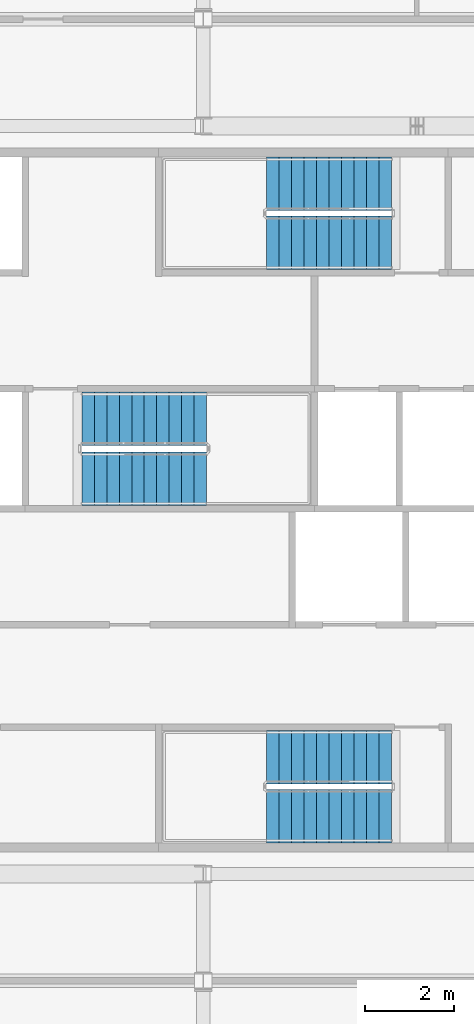
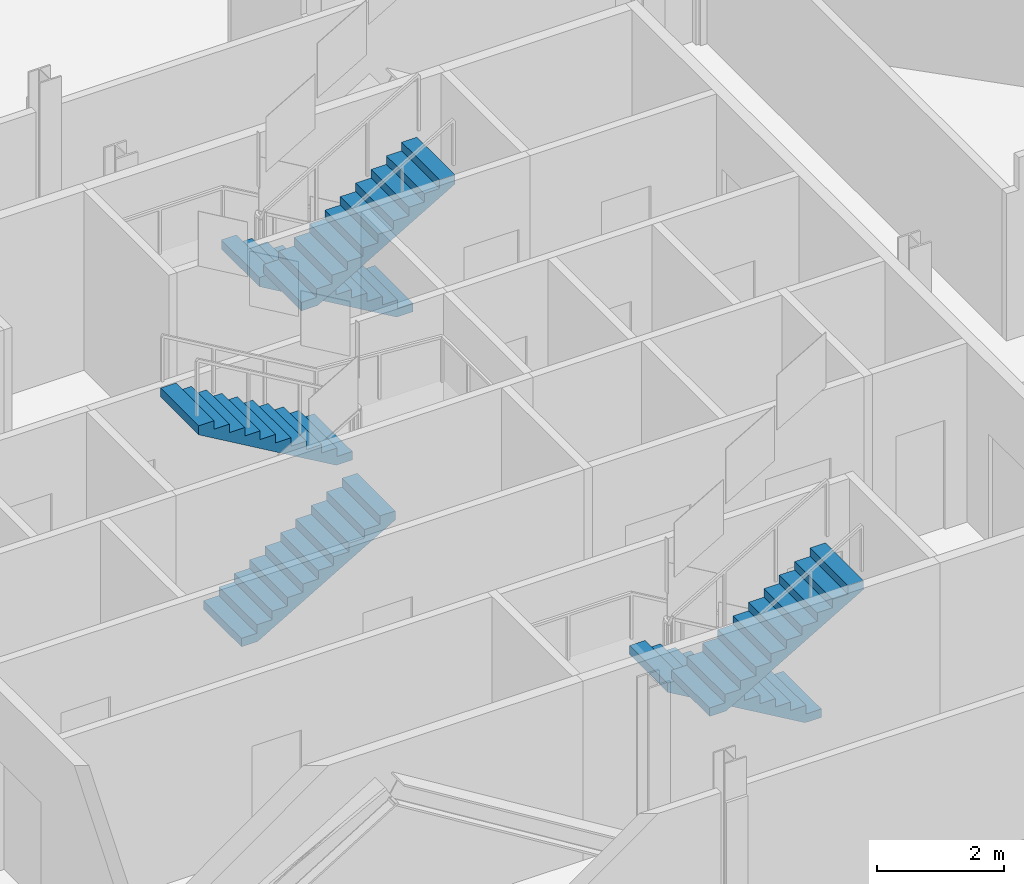
# One storey, part 12 of 17: 6 stair flights, 3 elements without a shape of their own.
"""IFC4 building model written with IfcOpenShell, lengths in metres."""

from ifc_helpers import new_model, si_unit, direction, frame, origin, place, context, subcontext, project, spatial, polyline, outline, extrude, material, type_object, element, aggregate, save


model = new_model("IFC4")

# Units and contexts
model_context = context("Model", 3, precision=1e-05, world=origin(), true_north=direction((0.0, 1.0)))
body_context = subcontext(model_context, "Body", "Model", "MODEL_VIEW")
ifc_project = project(units=[si_unit("LENGTHUNIT", "METRE"), si_unit("AREAUNIT", "SQUARE_METRE"), si_unit("VOLUMEUNIT", "CUBIC_METRE"), si_unit("PLANEANGLEUNIT", "RADIAN"), si_unit("MASSUNIT", "GRAM", prefix="KILO")], contexts=[model_context])

# Site, building, storey
site_placement = place(None, origin())
site = spatial("IfcSite", under=ifc_project, at=site_placement, CompositionType="ELEMENT")
building_placement = place(site_placement, origin())
building = spatial("IfcBuilding", under=site, at=building_placement, Name="Cairn Pilgrim Tower", CompositionType="ELEMENT")
storey_placement = place(building_placement, frame((0.0, 0.0, 243.0)))
storey = spatial("IfcBuildingStorey", under=building, at=storey_placement, Name="L62", CompositionType="ELEMENT", Elevation=243.0)

# Stair, stair flights
ifc_material = material(Name="Concrete C32/40", Category="concrete")
stair_type = type_object("IfcStairType", Name="EXIT STAIR 1200", PredefinedType="HALF_TURN_STAIR", material=ifc_material)
stair_1_placement = place(storey_placement, origin())
stair_1 = element("IfcStair", 1, at=stair_1_placement, inside=storey, type_object=stair_type, Name="L62 Exit Stair A", PredefinedType="HALF_TURN_STAIR")
stair_flight_type = type_object("IfcStairFlightType", Name="STAIR FLIGHT 1200", PredefinedType="STRAIGHT", material=ifc_material)
stair_flight_1_placement = place(storey_placement, frame((11.425048828125, -3.375, 0.0), z_axis=(0.0, 0.0, 1.0), x_axis=(-1.0, 0.0, 0.0)))
stair_flight_1 = element("IfcStairFlight", 2, at=stair_flight_1_placement, type_object=stair_flight_type, Name="ST-A flight 1", NumberOfRisers=11, NumberOfTreads=10, PredefinedType="STRAIGHT", RiserHeight=0.163636364, TreadLength=0.28, context=body_context, shape_type="SweptSolid", body=[
    extrude(outline(polyline([(0.0, 0.0), (0.0, 0.16357421875), (0.280029296875, 0.16357421875), (0.280029296875, 0.327392578125), (0.56005859375, 0.327392578125), (0.56005859375, 0.490966796875), (0.840087890625, 0.490966796875), (0.840087890625, 0.654541015625), (1.1201171875, 0.654541015625), (1.1201171875, 0.818115234375), (1.39990234375, 0.818115234375), (1.39990234375, 0.98193359375), (1.679931640625, 0.98193359375), (1.679931640625, 1.1455078125), (1.9599609375, 1.1455078125), (1.9599609375, 1.30908203125), (2.239990234375, 1.30908203125), (2.239990234375, 1.47265625), (2.52001953125, 1.47265625), (2.52001953125, 1.636474609375), (2.800048828125, 1.636474609375), (2.800048828125, 1.800048828125), (2.800048828125, 1.462646484375), (0.297119140625, 0.0), (0.0, 0.0)])), frame((0.0, 0.60009765625, 0.0), z_axis=(0.0, -1.0, 0.0), x_axis=(1.0, 0.0, 0.0)), (0.0, 0.0, 1.0), 1.199951171875),
])
stair_flight_2_placement = place(storey_placement, frame((8.625, -4.699951171875, 1.800048828125), z_axis=(0.0, 0.0, 1.0), x_axis=(1.0, 0.0, 0.0)))
stair_flight_2 = element("IfcStairFlight", 3, at=stair_flight_2_placement, type_object=stair_flight_type, Name="ST-A flight 2", NumberOfRisers=11, NumberOfTreads=10, PredefinedType="STRAIGHT", RiserHeight=0.163636364, TreadLength=0.28, context=body_context, shape_type="SweptSolid", body=[
    extrude(outline(polyline([(0.0, 0.0), (0.0, 0.16357421875), (0.280029296875, 0.16357421875), (0.280029296875, 0.327392578125), (0.56005859375, 0.327392578125), (0.56005859375, 0.490966796875), (0.840087890625, 0.490966796875), (0.840087890625, 0.654541015625), (1.1201171875, 0.654541015625), (1.1201171875, 0.818115234375), (1.39990234375, 0.818115234375), (1.39990234375, 0.98193359375), (1.679931640625, 0.98193359375), (1.679931640625, 1.1455078125), (1.9599609375, 1.1455078125), (1.9599609375, 1.30908203125), (2.239990234375, 1.30908203125), (2.239990234375, 1.47265625), (2.52001953125, 1.47265625), (2.52001953125, 1.636474609375), (2.800048828125, 1.636474609375), (2.800048828125, 1.800048828125), (2.800048828125, 1.462646484375), (0.297119140625, 0.0), (0.0, 0.0)])), frame((0.0, 0.60009765625, 0.0), z_axis=(0.0, -1.0, 0.0), x_axis=(1.0, 0.0, 0.0)), (0.0, 0.0, 1.0), 1.199951171875),
])
aggregate(stair_1, [stair_flight_1, stair_flight_2])

stair_2_placement = place(storey_placement, origin())
stair_2 = element("IfcStair", 4, at=stair_2_placement, inside=storey, type_object=stair_type, Name="L62 Exit Stair B", PredefinedType="HALF_TURN_STAIR")
stair_flight_3_placement = place(storey_placement, frame((4.47509765625, 2.875, 0.0), z_axis=(0.0, 0.0, 1.0), x_axis=(1.0, 0.0, 0.0)))
stair_flight_3 = element("IfcStairFlight", 5, at=stair_flight_3_placement, type_object=stair_flight_type, Name="ST-B flight 1", NumberOfRisers=11, NumberOfTreads=10, PredefinedType="STRAIGHT", RiserHeight=0.163636364, TreadLength=0.28, context=body_context, shape_type="SweptSolid", body=[
    extrude(outline(polyline([(0.0, 0.0), (0.0, 0.16357421875), (0.280029296875, 0.16357421875), (0.280029296875, 0.327392578125), (0.56005859375, 0.327392578125), (0.56005859375, 0.490966796875), (0.840087890625, 0.490966796875), (0.840087890625, 0.654541015625), (1.1201171875, 0.654541015625), (1.1201171875, 0.818115234375), (1.39990234375, 0.818115234375), (1.39990234375, 0.98193359375), (1.679931640625, 0.98193359375), (1.679931640625, 1.1455078125), (1.9599609375, 1.1455078125), (1.9599609375, 1.30908203125), (2.239990234375, 1.30908203125), (2.239990234375, 1.47265625), (2.52001953125, 1.47265625), (2.52001953125, 1.636474609375), (2.800048828125, 1.636474609375), (2.800048828125, 1.800048828125), (2.800048828125, 1.462646484375), (0.297119140625, 0.0), (0.0, 0.0)])), frame((0.0, 0.60009765625, 0.0), z_axis=(0.0, -1.0, 0.0), x_axis=(1.0, 0.0, 0.0)), (0.0, 0.0, 1.0), 1.199951171875),
])
stair_flight_4_placement = place(storey_placement, frame((7.27490234375, 4.22509765625, 1.800048828125), z_axis=(0.0, 0.0, 1.0), x_axis=(-1.0, 0.0, 0.0)))
stair_flight_4 = element("IfcStairFlight", 6, at=stair_flight_4_placement, type_object=stair_flight_type, Name="ST-B flight 2", NumberOfRisers=11, NumberOfTreads=10, PredefinedType="STRAIGHT", RiserHeight=0.163636364, TreadLength=0.28, context=body_context, shape_type="SweptSolid", body=[
    extrude(outline(polyline([(0.0, 0.0), (0.0, 0.16357421875), (0.280029296875, 0.16357421875), (0.280029296875, 0.327392578125), (0.56005859375, 0.327392578125), (0.56005859375, 0.490966796875), (0.840087890625, 0.490966796875), (0.840087890625, 0.654541015625), (1.1201171875, 0.654541015625), (1.1201171875, 0.818115234375), (1.39990234375, 0.818115234375), (1.39990234375, 0.98193359375), (1.679931640625, 0.98193359375), (1.679931640625, 1.1455078125), (1.9599609375, 1.1455078125), (1.9599609375, 1.30908203125), (2.239990234375, 1.30908203125), (2.239990234375, 1.47265625), (2.52001953125, 1.47265625), (2.52001953125, 1.636474609375), (2.800048828125, 1.636474609375), (2.800048828125, 1.800048828125), (2.800048828125, 1.462646484375), (0.297119140625, 0.0), (0.0, 0.0)])), frame((0.0, 0.60009765625, 0.0), z_axis=(0.0, -1.0, 0.0), x_axis=(1.0, 0.0, 0.0)), (0.0, 0.0, 1.0), 1.199951171875),
])
aggregate(stair_2, [stair_flight_3, stair_flight_4])

stair_3_placement = place(storey_placement, origin())
stair_3 = element("IfcStair", 7, at=stair_3_placement, inside=storey, type_object=stair_type, Name="L62 Exit Stair C", PredefinedType="HALF_TURN_STAIR")
stair_flight_5_placement = place(storey_placement, frame((11.425048828125, 9.5, 0.0), z_axis=(0.0, 0.0, 1.0), x_axis=(-1.0, 0.0, 0.0)))
stair_flight_5 = element("IfcStairFlight", 8, at=stair_flight_5_placement, type_object=stair_flight_type, Name="ST-C flight 1", NumberOfRisers=11, NumberOfTreads=10, PredefinedType="STRAIGHT", RiserHeight=0.163636364, TreadLength=0.28, context=body_context, shape_type="SweptSolid", body=[
    extrude(outline(polyline([(0.0, 0.0), (0.0, 0.16357421875), (0.280029296875, 0.16357421875), (0.280029296875, 0.327392578125), (0.56005859375, 0.327392578125), (0.56005859375, 0.490966796875), (0.840087890625, 0.490966796875), (0.840087890625, 0.654541015625), (1.1201171875, 0.654541015625), (1.1201171875, 0.818115234375), (1.39990234375, 0.818115234375), (1.39990234375, 0.98193359375), (1.679931640625, 0.98193359375), (1.679931640625, 1.1455078125), (1.9599609375, 1.1455078125), (1.9599609375, 1.30908203125), (2.239990234375, 1.30908203125), (2.239990234375, 1.47265625), (2.52001953125, 1.47265625), (2.52001953125, 1.636474609375), (2.800048828125, 1.636474609375), (2.800048828125, 1.800048828125), (2.800048828125, 1.462646484375), (0.297119140625, 0.0), (0.0, 0.0)])), frame((0.0, 0.60009765625, 0.0), z_axis=(0.0, -1.0, 0.0), x_axis=(1.0, 0.0, 0.0)), (0.0, 0.0, 1.0), 1.199951171875),
])
stair_flight_6_placement = place(storey_placement, frame((8.625, 8.175048828125, 1.800048828125), z_axis=(0.0, 0.0, 1.0), x_axis=(1.0, 0.0, 0.0)))
stair_flight_6 = element("IfcStairFlight", 9, at=stair_flight_6_placement, type_object=stair_flight_type, Name="ST-C flight 2", NumberOfRisers=11, NumberOfTreads=10, PredefinedType="STRAIGHT", RiserHeight=0.163636364, TreadLength=0.28, context=body_context, shape_type="SweptSolid", body=[
    extrude(outline(polyline([(0.0, 0.0), (0.0, 0.16357421875), (0.280029296875, 0.16357421875), (0.280029296875, 0.327392578125), (0.56005859375, 0.327392578125), (0.56005859375, 0.490966796875), (0.840087890625, 0.490966796875), (0.840087890625, 0.654541015625), (1.1201171875, 0.654541015625), (1.1201171875, 0.818115234375), (1.39990234375, 0.818115234375), (1.39990234375, 0.98193359375), (1.679931640625, 0.98193359375), (1.679931640625, 1.1455078125), (1.9599609375, 1.1455078125), (1.9599609375, 1.30908203125), (2.239990234375, 1.30908203125), (2.239990234375, 1.47265625), (2.52001953125, 1.47265625), (2.52001953125, 1.636474609375), (2.800048828125, 1.636474609375), (2.800048828125, 1.800048828125), (2.800048828125, 1.462646484375), (0.297119140625, 0.0), (0.0, 0.0)])), frame((0.0, 0.60009765625, 0.0), z_axis=(0.0, -1.0, 0.0), x_axis=(1.0, 0.0, 0.0)), (0.0, 0.0, 1.0), 1.199951171875),
])
aggregate(stair_3, [stair_flight_5, stair_flight_6])

save(model, "model.ifc")
